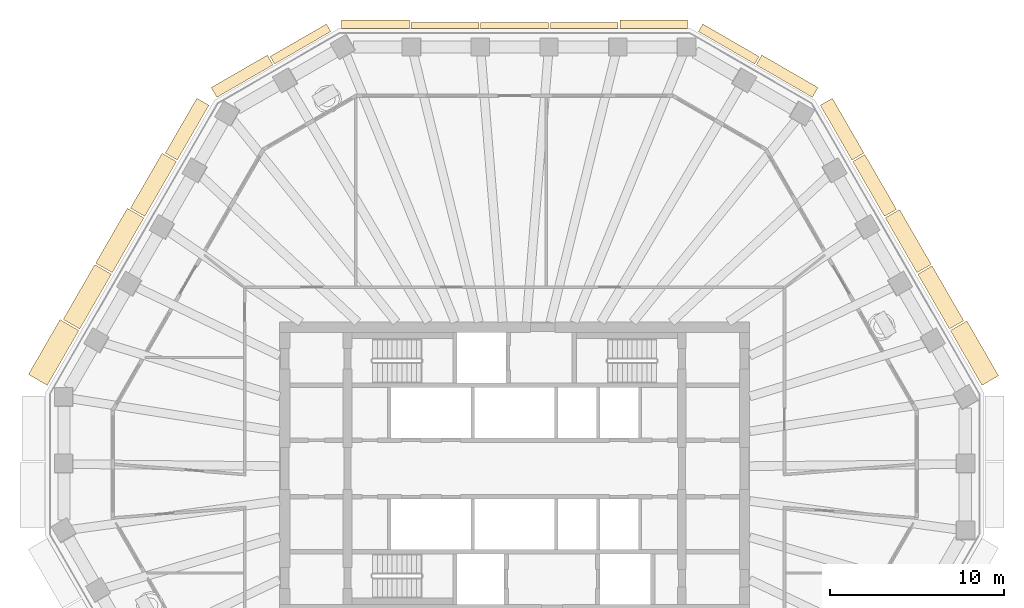
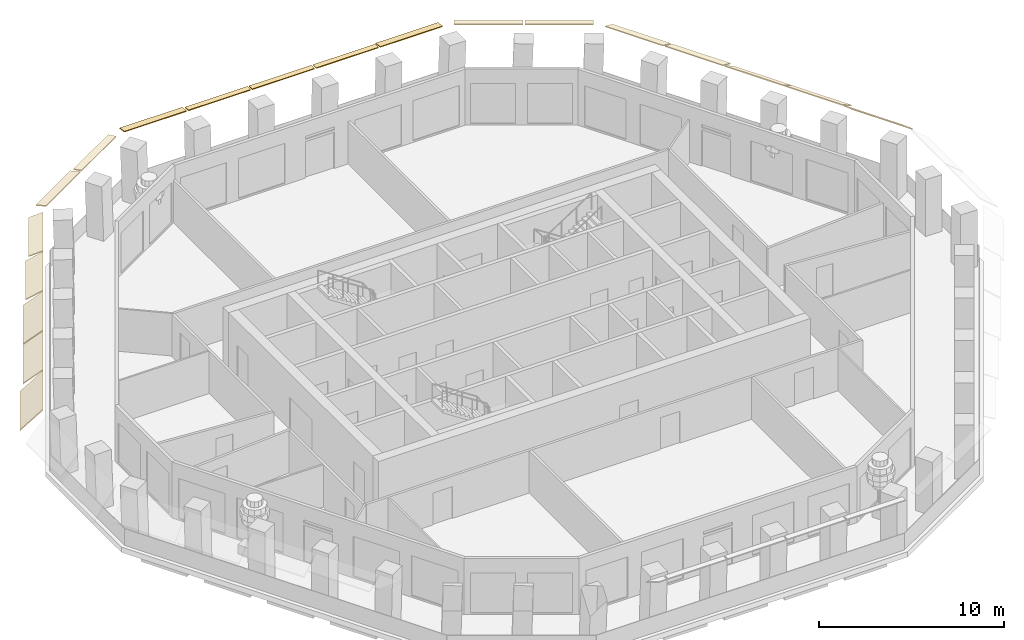
# One storey, part 10 of 12: 19 coverings.
"""IFC4 building model written with IfcOpenShell, lengths in metres."""

from ifc_helpers import new_model, si_unit, direction, frame, origin, place, context, subcontext, project, spatial, polyline, outline, extrude, material, layer, layer_set, type_object, element, save


model = new_model("IFC4")

# Units and contexts
model_context = context("Model", 3, precision=1e-05, world=origin(), true_north=direction((0.0, 1.0)))
body_context = subcontext(model_context, "Body", "Model", "MODEL_VIEW")
ifc_project = project(units=[si_unit("LENGTHUNIT", "METRE"), si_unit("AREAUNIT", "SQUARE_METRE"), si_unit("VOLUMEUNIT", "CUBIC_METRE"), si_unit("PLANEANGLEUNIT", "RADIAN"), si_unit("MASSUNIT", "GRAM", prefix="KILO")], contexts=[model_context])

# Site, building, storey
site_placement = place(None, origin())
site = spatial("IfcSite", under=ifc_project, at=site_placement, CompositionType="ELEMENT")
building_placement = place(site_placement, origin())
building = spatial("IfcBuilding", under=site, at=building_placement, Name="Frailejon Research Tower", CompositionType="ELEMENT")
storey_placement = place(building_placement, frame((0.0, 0.0, 219.39990234375)))
storey = spatial("IfcBuildingStorey", under=building, at=storey_placement, Name="L47", CompositionType="ELEMENT", Elevation=219.39990234375)

# Coverings
ifc_material_1 = material(Name="Precast concrete C50/60", Category="concrete")
ifc_layer_1 = layer(ifc_material_1, 0.06005859375)
ifc_layer_set_1 = layer_set([ifc_layer_1], Name="Brim blade depth 1100")
covering_type_1 = type_object("IfcCoveringType", Name="Brim blade depth 1100", PredefinedType="CLADDING", material=ifc_layer_set_1)
covering_1_placement = place(storey_placement, frame((25.019287109375, 7.91943359375, 3.85009765625), z_axis=(0.50000139903, -0.866024596052, 0.0), x_axis=(0.866024596052, 0.50000139903, 0.0)))
element("IfcCovering", 1, at=covering_1_placement, inside=storey, type_object=covering_type_1, Name="Brim blade L47", PredefinedType="CLADDING", context=body_context, shape_type="SweptSolid", body=[
    extrude(outline(polyline([(0.0, -0.078369140625), (1.10009765625, -1.001220703125), (1.10009765625, -0.923095703125), (0.0, 0.0), (0.0, -0.078369140625)])), origin(), (0.0, 0.0, 1.0), 3.63427734375),
])
covering_2_placement = place(storey_placement, frame((-23.102294921875, 11.239990234375, 3.85009765625), z_axis=(0.499981313949, 0.866036191912, 0.0), x_axis=(-0.866036191912, 0.499981313949, 0.0)))
element("IfcCovering", 2, at=covering_2_placement, inside=storey, type_object=covering_type_1, Name="Brim blade L47", PredefinedType="CLADDING", context=body_context, shape_type="SweptSolid", body=[
    extrude(outline(polyline([(0.0, -0.078369140625), (1.10009765625, -1.001220703125), (1.10009765625, -0.923095703125), (0.0, 0.0), (0.0, -0.078369140625)])), origin(), (0.0, 0.0, 1.0), 3.634033203125),
])
covering_3_placement = place(storey_placement, frame((-24.96923828125, 8.006103515625, 3.85009765625), z_axis=(0.50000139903, 0.866024596052, 0.0), x_axis=(-0.866024596052, 0.50000139903, 0.0)))
element("IfcCovering", 3, at=covering_3_placement, inside=storey, type_object=covering_type_1, Name="Brim blade L47", PredefinedType="CLADDING", context=body_context, shape_type="SweptSolid", body=[
    extrude(outline(polyline([(0.0, -0.078369140625), (1.10009765625, -1.001220703125), (1.10009765625, -0.923095703125), (0.0, 0.0), (0.0, -0.078369140625)])), origin(), (0.0, 0.0, 1.0), 3.63427734375),
])
ifc_material_2 = material(Name="Precast concrete C50/60", Category="concrete")
ifc_layer_2 = layer(ifc_material_2, 0.06005859375)
ifc_layer_set_2 = layer_set([ifc_layer_2], Name="Brim blade depth 1250")
covering_type_2 = type_object("IfcCoveringType", Name="Brim blade depth 1250", PredefinedType="CLADDING", material=ifc_layer_set_2)
covering_4_placement = place(storey_placement, frame((-26.83642578125, 4.772216796875, 3.85009765625), z_axis=(0.50000139903, 0.866024596052, 0.0), x_axis=(-0.866024596052, 0.50000139903, 0.0)))
element("IfcCovering", 4, at=covering_4_placement, inside=storey, type_object=covering_type_2, Name="Brim blade L47", PredefinedType="CLADDING", context=body_context, shape_type="SweptSolid", body=[
    extrude(outline(polyline([(0.0, -0.0888671875), (1.25, -1.452880859375), (1.25, -1.364013671875), (0.0, 0.0), (0.0, -0.0888671875)])), origin(), (0.0, 0.0, 1.0), 3.63427734375),
])
ifc_material_3 = material(Name="Precast concrete C50/60", Category="concrete")
ifc_layer_3 = layer(ifc_material_3, 0.06005859375)
ifc_layer_set_3 = layer_set([ifc_layer_3], Name="Brim blade depth 350")
covering_type_3 = type_object("IfcCoveringType", Name="Brim blade depth 350", PredefinedType="CLADDING", material=ifc_layer_set_3)
for number, where, z_axis, x_axis, name in (
    (5, (2.047607421875, 25.25, 3.85009765625), (1.0, 0.0, 0.0), (0.0, 1.0, 0.0), "Brim blade L47"),
    (6, (-1.94775390625, 25.25, 3.85009765625), (1.0, 0.0, 0.0), (0.0, 1.0, 0.0), "Brim blade L47"),
    (7, (-5.943115234375, 25.25, 3.85009765625), (1.0, 0.0, 0.0), (0.0, 1.0, 0.0), "Brim blade L47"),
):
    element("IfcCovering", number, at=place(storey_placement, frame(where, z_axis=z_axis, x_axis=x_axis)), inside=storey, type_object=covering_type_3, Name=name, PredefinedType="CLADDING", context=body_context, shape_type="SweptSolid", body=[
        extrude(outline(polyline([(0.0, -0.06005859375), (0.35009765625, -0.06005859375), (0.35009765625, 0.0), (0.0, 0.0), (0.0, -0.06005859375)])), origin(), (0.0, 0.0, 1.0), 3.8955078125),
    ])
ifc_material_4 = material(Name="Precast concrete C50/60", Category="concrete")
ifc_layer_4 = layer(ifc_material_4, 0.06005859375)
ifc_layer_set_4 = layer_set([ifc_layer_4], Name="Brim blade depth 500")
covering_type_4 = type_object("IfcCoveringType", Name="Brim blade depth 500", PredefinedType="CLADDING", material=ifc_layer_set_4)
covering_5_placement = place(storey_placement, frame((10.556884765625, 25.084228515625, 3.85009765625), z_axis=(0.866025010706, -0.50000068083, 0.0), x_axis=(0.50000068083, 0.866025010706, 0.0)))
element("IfcCovering", 8, at=covering_5_placement, inside=storey, type_object=covering_type_4, Name="Brim blade L47", PredefinedType="CLADDING", context=body_context, shape_type="SweptSolid", body=[
    extrude(outline(polyline([(0.0, -0.060546875), (0.5, -0.130859375), (0.5, -0.0703125), (0.0, 0.0), (0.0, -0.060546875)])), origin(), (0.0, 0.0, 1.0), 3.726806640625),
])
for number, where, z_axis, x_axis, name in (
    (9, (6.043212890625, 25.25, 3.85009765625), (1.0, 0.0, 0.0), (0.0, 1.0, 0.0), "Brim blade L47"),
    (10, (-9.938720703125, 25.25, 3.85009765625), (1.0, 0.0, 0.0), (0.0, 1.0, 0.0), "Brim blade L47"),
):
    element("IfcCovering", number, at=place(storey_placement, frame(where, z_axis=z_axis, x_axis=x_axis)), inside=storey, type_object=covering_type_4, Name=name, PredefinedType="CLADDING", context=body_context, shape_type="SweptSolid", body=[
        extrude(outline(polyline([(0.0, -0.060546875), (0.5, -0.130859375), (0.5, -0.0703125), (0.0, 0.0), (0.0, -0.060546875)])), origin(), (0.0, 0.0, 1.0), 3.8955078125),
    ])
covering_6_placement = place(storey_placement, frame((-13.784423828125, 23.220947265625, 3.85009765625), z_axis=(0.866025010706, 0.50000068083, 0.0), x_axis=(-0.50000068083, 0.866025010706, 0.0)))
element("IfcCovering", 11, at=covering_6_placement, inside=storey, type_object=covering_type_4, Name="Brim blade L47", PredefinedType="CLADDING", context=body_context, shape_type="SweptSolid", body=[
    extrude(outline(polyline([(0.0, -0.060546875), (0.5, -0.130859375), (0.5, -0.0703125), (0.0, 0.0), (0.0, -0.060546875)])), origin(), (0.0, 0.0, 1.0), 3.726806640625),
])
ifc_material_5 = material(Name="Precast concrete C50/60", Category="concrete")
ifc_layer_5 = layer(ifc_material_5, 0.06005859375)
ifc_layer_set_5 = layer_set([ifc_layer_5], Name="Brim blade depth 650")
covering_type_5 = type_object("IfcCoveringType", Name="Brim blade depth 650", PredefinedType="CLADDING", material=ifc_layer_set_5)
for number, where, z_axis, x_axis, name in (
    (12, (13.87109375, 23.1708984375, 3.85009765625), (0.866029793251, -0.499992397145, 0.0), (0.499992397145, 0.866029793251, 0.0), "Brim blade L47"),
    (13, (-17.098388671875, 21.3076171875, 3.85009765625), (0.866029793251, 0.499992397145, 0.0), (-0.499992397145, 0.866029793251, 0.0), "Brim blade L47"),
):
    element("IfcCovering", number, at=place(storey_placement, frame(where, z_axis=z_axis, x_axis=x_axis)), inside=storey, type_object=covering_type_5, Name=name, PredefinedType="CLADDING", context=body_context, shape_type="SweptSolid", body=[
        extrude(outline(polyline([(0.0, -0.0625), (0.64990234375, -0.248779296875), (0.64990234375, -0.186279296875), (0.0, 0.0), (0.0, -0.0625)])), origin(), (0.0, 0.0, 1.0), 3.726806640625),
    ])
ifc_material_6 = material(Name="Precast concrete C50/60", Category="concrete")
ifc_layer_6 = layer(ifc_material_6, 0.06005859375)
ifc_layer_set_6 = layer_set([ifc_layer_6], Name="Brim blade depth 800")
covering_type_6 = type_object("IfcCoveringType", Name="Brim blade depth 800", PredefinedType="CLADDING", material=ifc_layer_set_6)
for number, where, z_axis, x_axis, name in (
    (14, (19.418212890625, 17.62109375, 3.85009765625), (0.50000139903, -0.866024596052, 0.0), (0.866024596052, 0.50000139903, 0.0), "Brim blade L47"),
    (15, (17.551025390625, 20.85498046875, 3.85009765625), (0.50000139903, -0.866024596052, 0.0), (0.866024596052, 0.50000139903, 0.0), "Brim blade L47"),
    (16, (-19.3681640625, 17.707763671875, 3.85009765625), (0.50000139903, 0.866024596052, 0.0), (-0.866024596052, 0.50000139903, 0.0), "Brim blade L47"),
):
    element("IfcCovering", number, at=place(storey_placement, frame(where, z_axis=z_axis, x_axis=x_axis)), inside=storey, type_object=covering_type_6, Name=name, PredefinedType="CLADDING", context=body_context, shape_type="SweptSolid", body=[
        extrude(outline(polyline([(0.0, -0.065673828125), (0.800048828125, -0.421875), (0.800048828125, -0.356201171875), (0.0, 0.0), (0.0, -0.065673828125)])), origin(), (0.0, 0.0, 1.0), 3.63427734375),
    ])
ifc_material_7 = material(Name="Precast concrete C50/60", Category="concrete")
ifc_layer_7 = layer(ifc_material_7, 0.06005859375)
ifc_layer_set_7 = layer_set([ifc_layer_7], Name="Brim blade depth 950")
covering_type_7 = type_object("IfcCoveringType", Name="Brim blade depth 950", PredefinedType="CLADDING", material=ifc_layer_set_7)
covering_7_placement = place(storey_placement, frame((23.152099609375, 11.1533203125, 3.85009765625), z_axis=(0.50000139903, -0.866024596052, 0.0), x_axis=(0.866024596052, 0.50000139903, 0.0)))
element("IfcCovering", 17, at=covering_7_placement, inside=storey, type_object=covering_type_7, Name="Brim blade L47", PredefinedType="CLADDING", context=body_context, shape_type="SweptSolid", body=[
    extrude(outline(polyline([(0.0, -0.07080078125), (0.949951171875, -0.664306640625), (0.949951171875, -0.593505859375), (0.0, 0.0), (0.0, -0.07080078125)])), origin(), (0.0, 0.0, 1.0), 3.63427734375),
])
covering_8_placement = place(storey_placement, frame((21.28515625, 14.38720703125, 3.85009765625), z_axis=(0.499981313949, -0.866036191912, 0.0), x_axis=(0.866036191912, 0.499981313949, 0.0)))
element("IfcCovering", 18, at=covering_8_placement, inside=storey, type_object=covering_type_7, Name="Brim blade L47", PredefinedType="CLADDING", context=body_context, shape_type="SweptSolid", body=[
    extrude(outline(polyline([(0.0, -0.07080078125), (0.949951171875, -0.664306640625), (0.949951171875, -0.593505859375), (0.0, 0.0), (0.0, -0.07080078125)])), origin(), (0.0, 0.0, 1.0), 3.634033203125),
])
covering_9_placement = place(storey_placement, frame((-21.235107421875, 14.473876953125, 3.85009765625), z_axis=(0.50000139903, 0.866024596052, 0.0), x_axis=(-0.866024596052, 0.50000139903, 0.0)))
element("IfcCovering", 19, at=covering_9_placement, inside=storey, type_object=covering_type_7, Name="Brim blade L47", PredefinedType="CLADDING", context=body_context, shape_type="SweptSolid", body=[
    extrude(outline(polyline([(0.0, -0.07080078125), (0.949951171875, -0.664306640625), (0.949951171875, -0.593505859375), (0.0, 0.0), (0.0, -0.07080078125)])), origin(), (0.0, 0.0, 1.0), 3.63427734375),
])

save(model, "model.ifc")
